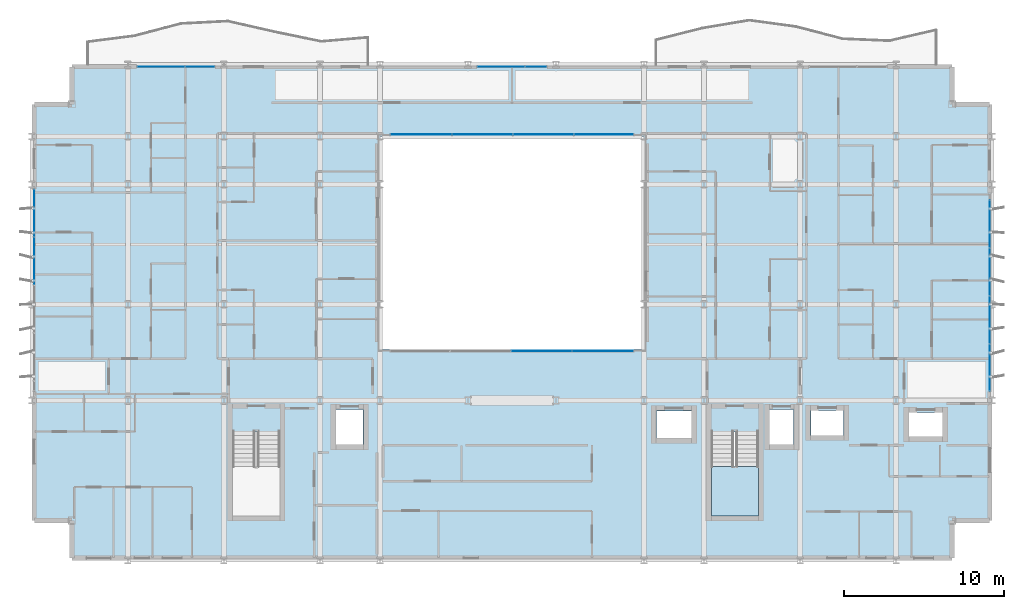
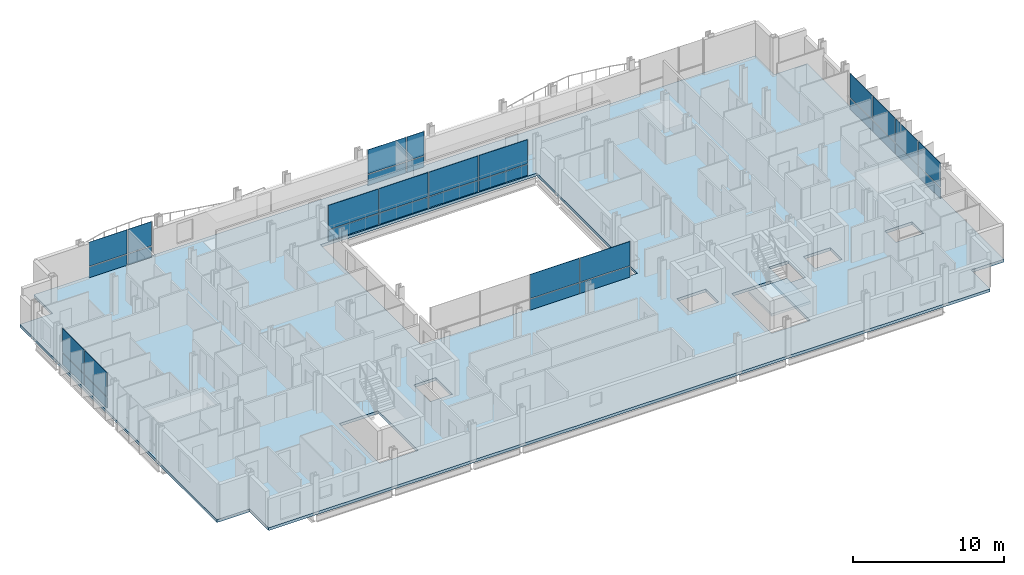
# One storey, part 23 of 39: 32 plates, 2 slabs, 7 elements without a shape of their own.
"""IFC4 building model written with IfcOpenShell, lengths in metres."""

import ifcopenshell
import ifcopenshell.guid

model = None  # the IFC model being written
_history = None  # IfcOwnerHistory: only IFC2X3 demands one
_inside = {}  # id of a spatial element -> (the spatial element, [elements in it])
_under = {}  # id of a project, library or spatial element -> (it, [spatial elements below it])
_declared = {}  # id of a project -> (the project, [libraries it declares])
_typed = {}  # id of a type object -> (the type object, [elements of that type])
_made_of = {}  # id of a material, layer set ... -> (it, [elements and type objects made of it])


def new_model(schema):
    """Start an empty IFC model of exactly this schema.

    Asked for "IFC4X3", IfcOpenShell would pick the latest addendum, in which some entities
    have other attributes; the version numbers below select the first issue.
    IFC2X3 requires an IfcOwnerHistory on every rooted entity: one is made here for all.
    """
    global model, _history
    if schema == "IFC4X3":
        model = ifcopenshell.file(schema_version=(4, 3, 0, 0))
    else:
        model = ifcopenshell.file(schema=schema)
    _inside.clear()
    _under.clear()
    _declared.clear()
    _typed.clear()
    _made_of.clear()
    _history = None
    if model.schema == "IFC2X3":
        org = make("IfcOrganization", Name="unknown")
        user = make(
            "IfcPersonAndOrganization",
            ThePerson=make("IfcPerson", FamilyName="unknown"),
            TheOrganization=org,
        )
        app = make(
            "IfcApplication",
            ApplicationDeveloper=org,
            Version="unknown",
            ApplicationFullName="unknown",
            ApplicationIdentifier="unknown",
        )
        _history = make(
            "IfcOwnerHistory",
            OwningUser=user,
            OwningApplication=app,
            ChangeAction="ADDED",
            CreationDate=0,
        )
    return model


def make(cls, **values):
    """One entity of the class cls with the attributes given. An attribute that is None is left unset."""
    return model.create_entity(
        cls, **{name: value for name, value in values.items() if value is not None}
    )


def rooted(cls, **values):
    """An entity with a GlobalId (a new one), such as an element, a storey or a relation."""
    return make(cls, GlobalId=ifcopenshell.guid.new(), OwnerHistory=_history, **values)


def si_unit(unit_type, name, prefix=None):
    """IfcSIUnit, for example si_unit("LENGTHUNIT", "METRE", prefix="MILLI")."""
    return make("IfcSIUnit", UnitType=unit_type, Prefix=prefix, Name=name)


def assignment(units):
    """IfcUnitAssignment: the units of a project."""
    return None if units is None else make("IfcUnitAssignment", Units=units)


def point(xyz):
    """IfcCartesianPoint."""
    return None if xyz is None else make("IfcCartesianPoint", Coordinates=xyz)


def direction(xyz):
    """IfcDirection."""
    return None if xyz is None else make("IfcDirection", DirectionRatios=xyz)


def frame(location, z_axis=None, x_axis=None):
    """IfcAxis2Placement3D, a coordinate frame: its origin and axes. An axis left out is left unset."""
    return make(
        "IfcAxis2Placement3D",
        Location=point(location),
        Axis=direction(z_axis),
        RefDirection=direction(x_axis),
    )


def frame_2d(location, x_axis=None):
    """IfcAxis2Placement2D, a coordinate frame in the plane: its origin and x axis."""
    return make(
        "IfcAxis2Placement2D", Location=point(location), RefDirection=direction(x_axis)
    )


def origin():
    """The frame at (0, 0, 0) with its axes left unset."""
    return frame((0.0, 0.0, 0.0))


def origin_2d():
    """The frame at (0, 0) in the plane with its x axis left unset."""
    return frame_2d((0.0, 0.0))


def place(relative_to, where):
    """IfcLocalPlacement: puts the frame where relative to a parent placement (None: the world)."""
    return make(
        "IfcLocalPlacement", PlacementRelTo=relative_to, RelativePlacement=where
    )


def context(
    kind, dimensions, precision=None, world=None, true_north=None, identifier=None
):
    """IfcGeometricRepresentationContext, for example the 3D "Model" context."""
    return make(
        "IfcGeometricRepresentationContext",
        ContextIdentifier=identifier,
        ContextType=kind,
        CoordinateSpaceDimension=dimensions,
        Precision=precision,
        WorldCoordinateSystem=world,
        TrueNorth=true_north,
    )


def subcontext(parent, identifier, kind, view, scale=None):
    """IfcGeometricRepresentationSubContext, for example "Body" below "Model"."""
    return make(
        "IfcGeometricRepresentationSubContext",
        ContextIdentifier=identifier,
        ContextType=kind,
        ParentContext=parent,
        TargetScale=scale,
        TargetView=view,
    )


def project(units=None, contexts=None):
    """IfcProject with its units and contexts."""
    return rooted(
        "IfcProject",
        Name="project",
        RepresentationContexts=contexts,
        UnitsInContext=assignment(units),
    )


def spatial(cls, under=None, at=None, **own):
    """A site, building, storey or space (cls), placed at a placement, below another one or the project."""
    s = rooted(cls, ObjectPlacement=at, **own)
    if under is not None:
        _under.setdefault(under.id(), (under, []))[1].append(s)
    return s


def polyline(points):
    """IfcPolyline through the points."""
    return make("IfcPolyline", Points=[point(p) for p in points])


def profile(cls, at=None, kind="AREA", **sizes):
    """A parametric profile (cls). Its sizes go by their IFC names, for example OverallWidth=200.0."""
    return make(cls, ProfileType=kind, Position=at, **sizes)


def rectangle(**sizes):
    """IfcRectangleProfileDef."""
    return profile("IfcRectangleProfileDef", **sizes)


def outline(outer, holes=None, kind="AREA"):
    """IfcArbitraryClosedProfileDef: a profile drawn as a closed curve; with holes, ...WithVoids."""
    if holes is None:
        return make("IfcArbitraryClosedProfileDef", ProfileType=kind, OuterCurve=outer)
    return make(
        "IfcArbitraryProfileDefWithVoids",
        ProfileType=kind,
        OuterCurve=outer,
        InnerCurves=holes,
    )


def extrude(swept, where, along, depth):
    """IfcExtrudedAreaSolid: the profile swept, set in the frame where, extruded along a direction by depth."""
    return make(
        "IfcExtrudedAreaSolid",
        SweptArea=swept,
        Position=where,
        ExtrudedDirection=direction(along),
        Depth=depth,
    )


def shape(context_of_items, identifier, shape_type, items):
    """IfcShapeRepresentation: the items that make up one representation, for example the "Body"."""
    return make(
        "IfcShapeRepresentation",
        ContextOfItems=context_of_items,
        RepresentationIdentifier=identifier,
        RepresentationType=shape_type,
        Items=items,
    )


def material(Name=None, Category=None):
    """IfcMaterial."""
    return make("IfcMaterial", Name=Name, Category=Category)


def layer(
    of_material, thickness, ventilated=None, Name=None, Category=None, Priority=None
):
    """IfcMaterialLayer: one layer of a wall or slab, of a material (None: an air gap)."""
    return make(
        "IfcMaterialLayer",
        Material=of_material,
        LayerThickness=thickness,
        IsVentilated=ventilated,
        Name=Name,
        Category=Category,
        Priority=Priority,
    )


def layer_set(layers, Name=None):
    """IfcMaterialLayerSet."""
    return make("IfcMaterialLayerSet", MaterialLayers=layers, LayerSetName=Name)


def made_of(thing, what):
    """Note that an element or type object is made of a material, layer set ...; save() writes the relation."""
    if what is not None:
        _made_of.setdefault(what.id(), (what, []))[1].append(thing)
    return thing


def type_object(cls, material=None, **own):
    """A type object (cls), such as IfcWallType, which elements share."""
    return made_of(rooted(cls, **own), material)


def element(
    cls,
    number,
    at=None,
    inside=None,
    cuts=None,
    type_object=None,
    material=None,
    context=None,
    identifier="Body",
    shape_type=None,
    held_by="IfcProductDefinitionShape",
    body=None,
    shapes=None,
    **own,
):
    """One element of the class cls, such as IfcWall. Its Tag is "e" and its number.

    at: its placement. inside: the storey or other place that contains it. cuts: it is an
    opening in that element (IfcRelVoidsElement). A single representation is given by context,
    identifier, shape_type and body (its items); several are given by shapes. held_by: the class
    of the entity that holds the representations. save() writes the other relations.
    """
    e = rooted(cls, Tag="e%d" % number, ObjectPlacement=at, **own)
    if body is not None:
        shapes = [shape(context, identifier, shape_type, body)]
    if shapes is not None:
        e.Representation = make(held_by, Representations=shapes)
    if inside is not None:
        _inside.setdefault(inside.id(), (inside, []))[1].append(e)
    if cuts is not None:
        rooted(
            "IfcRelVoidsElement", RelatingBuildingElement=cuts, RelatedOpeningElement=e
        )
    if type_object is not None:
        _typed.setdefault(type_object.id(), (type_object, []))[1].append(e)
    return made_of(e, material)


def aggregate(whole, parts):
    """IfcRelAggregates: a whole, such as a stair, and the parts it consists of."""
    return rooted("IfcRelAggregates", RelatingObject=whole, RelatedObjects=parts)


def save(model, path):
    """Write the relations noted so far, then the file.

    IfcRelAggregates (storeys below a building ...), IfcRelContainedInSpatialStructure (elements
    in a storey), IfcRelDefinesByType, IfcRelAssociatesMaterial and IfcRelDeclares: one each for
    every whole, place, type object, material and project.
    """
    for whole, parts in _under.values():
        aggregate(whole, parts)
    for where, things in _inside.values():
        rooted(
            "IfcRelContainedInSpatialStructure",
            RelatedElements=things,
            RelatingStructure=where,
        )
    for kind, things in _typed.values():
        rooted("IfcRelDefinesByType", RelatedObjects=things, RelatingType=kind)
    for what, things in _made_of.values():
        rooted("IfcRelAssociatesMaterial", RelatedObjects=things, RelatingMaterial=what)
    for by, libraries in _declared.values():
        rooted("IfcRelDeclares", RelatingContext=by, RelatedDefinitions=libraries)
    model.write(path)


model = new_model("IFC4")

# Units and contexts
model_context = context("Model", 3, precision=1e-05, world=origin(), true_north=direction((0.0, 1.0)))
body_context = subcontext(model_context, "Body", "Model", "MODEL_VIEW")
ifc_project = project(units=[si_unit("LENGTHUNIT", "METRE"), si_unit("AREAUNIT", "SQUARE_METRE"), si_unit("VOLUMEUNIT", "CUBIC_METRE"), si_unit("PLANEANGLEUNIT", "RADIAN"), si_unit("MASSUNIT", "GRAM", prefix="KILO")], contexts=[model_context])

# Site, building, storey
site_placement = place(None, origin())
site = spatial("IfcSite", under=ifc_project, at=site_placement, CompositionType="ELEMENT")
building_placement = place(site_placement, origin())
building = spatial("IfcBuilding", under=site, at=building_placement, Name="Brevholm Reach", CompositionType="ELEMENT")
storey_placement = place(building_placement, frame((0.0, 0.0, 40.39990234375)))
storey = spatial("IfcBuildingStorey", under=building, at=storey_placement, Name="L10", CompositionType="ELEMENT", Elevation=40.39990234375)

# Curtain wall, plates
ifc_material_1 = material(Name="Dark Anodised Aluminium 6063-T6 and Solar-Control Glass", Category="aluminium")
ifc_layer_1 = layer(ifc_material_1, 0.14990234375)
ifc_layer_set_1 = layer_set([ifc_layer_1], Name="Dark Anodised Aluminium 6063-T6 and Solar-Control Glass")
curtain_wall_type_1 = type_object("IfcCurtainWallType", Name="CW-01", PredefinedType="NOTDEFINED", material=ifc_layer_set_1)
curtain_wall_1_placement = place(storey_placement, origin())
curtain_wall_1 = element("IfcCurtainWall", 1, at=curtain_wall_1_placement, inside=storey, type_object=curtain_wall_type_1, Name="L10 Curtain Wall CW-01", PredefinedType="NOTDEFINED")
ifc_material_2 = material(Name="Dark Solar-Control Double-Glazed IGU Glass", Category="glass")
ifc_layer_2 = layer(ifc_material_2, 0.028076171875)
ifc_layer_set_2 = layer_set([ifc_layer_2], Name="Dark Solar-Control Double-Glazed IGU Glass")
plate_type_1 = type_object("IfcPlateType", Name="CWP-GLZ-28", PredefinedType="CURTAIN_PANEL", material=ifc_layer_set_2)
plate_1_placement = place(storey_placement, frame((0.14990234375, 21.703857421875, 0.0), z_axis=(0.0, 0.0, 1.0), x_axis=(0.0, -1.0, 0.0)))
plate_1 = element("IfcPlate", 2, at=plate_1_placement, type_object=plate_type_1, Name="CP-01 Glazing Panel 1.1", PredefinedType="CURTAIN_PANEL", context=body_context, shape_type="SweptSolid", body=[
    extrude(rectangle(XDim=2.902587890625, YDim=0.028076171875, at=origin_2d()), origin(), (0.0, 0.0, 1.0), 0.867431640625),
])
plate_2_placement = place(storey_placement, frame((0.14990234375, 21.703857421875, 0.9326171875), z_axis=(0.0, 0.0, 1.0), x_axis=(0.0, -1.0, 0.0)))
plate_2 = element("IfcPlate", 3, at=plate_2_placement, type_object=plate_type_1, Name="CP-01 Glazing Panel 1.2", PredefinedType="CURTAIN_PANEL", context=body_context, shape_type="SweptSolid", body=[
    extrude(rectangle(XDim=2.902587890625, YDim=0.028076171875, at=origin_2d()), origin(), (0.0, 0.0, 1.0), 1.9375),
])
plate_3_placement = place(storey_placement, frame((0.14990234375, 18.719970703125, 0.0), z_axis=(0.0, 0.0, 1.0), x_axis=(0.0, -1.0, 0.0)))
plate_3 = element("IfcPlate", 4, at=plate_3_placement, type_object=plate_type_1, Name="CP-01 Glazing Panel 2.1", PredefinedType="CURTAIN_PANEL", context=body_context, shape_type="SweptSolid", body=[
    extrude(rectangle(XDim=2.93505859375, YDim=0.028076171875, at=origin_2d()), origin(), (0.0, 0.0, 1.0), 0.867431640625),
])
plate_4_placement = place(storey_placement, frame((0.14990234375, 18.719970703125, 0.9326171875), z_axis=(0.0, 0.0, 1.0), x_axis=(0.0, -1.0, 0.0)))
plate_4 = element("IfcPlate", 5, at=plate_4_placement, type_object=plate_type_1, Name="CP-01 Glazing Panel 2.2", PredefinedType="CURTAIN_PANEL", context=body_context, shape_type="SweptSolid", body=[
    extrude(rectangle(XDim=2.93505859375, YDim=0.028076171875, at=origin_2d()), origin(), (0.0, 0.0, 1.0), 1.9375),
])
aggregate(curtain_wall_1, [plate_1, plate_2, plate_3, plate_4])

curtain_wall_2_placement = place(storey_placement, origin())
curtain_wall_2 = element("IfcCurtainWall", 6, at=curtain_wall_2_placement, inside=storey, type_object=curtain_wall_type_1, Name="L10 Curtain Wall CW-01", PredefinedType="NOTDEFINED")
plate_5_placement = place(storey_placement, frame((59.85009765625, 12.066162109375, 0.0), z_axis=(0.0, 0.0, 1.0), x_axis=(0.0, 1.0, 0.0)))
plate_5 = element("IfcPlate", 7, at=plate_5_placement, type_object=plate_type_1, Name="CP-01 Glazing Panel 1.1", PredefinedType="CURTAIN_PANEL", context=body_context, shape_type="SweptSolid", body=[
    extrude(rectangle(XDim=2.902587890625, YDim=0.028076171875, at=origin_2d()), origin(), (0.0, 0.0, 1.0), 0.867431640625),
])
plate_6_placement = place(storey_placement, frame((59.85009765625, 12.066162109375, 0.9326171875), z_axis=(0.0, 0.0, 1.0), x_axis=(0.0, 1.0, 0.0)))
plate_6 = element("IfcPlate", 8, at=plate_6_placement, type_object=plate_type_1, Name="CP-01 Glazing Panel 1.2", PredefinedType="CURTAIN_PANEL", context=body_context, shape_type="SweptSolid", body=[
    extrude(rectangle(XDim=2.902587890625, YDim=0.028076171875, at=origin_2d()), origin(), (0.0, 0.0, 1.0), 1.9375),
])
plate_7_placement = place(storey_placement, frame((59.85009765625, 15.050048828125, 0.0), z_axis=(0.0, 0.0, 1.0), x_axis=(0.0, 1.0, 0.0)))
plate_7 = element("IfcPlate", 9, at=plate_7_placement, type_object=plate_type_1, Name="CP-01 Glazing Panel 2.1", PredefinedType="CURTAIN_PANEL", context=body_context, shape_type="SweptSolid", body=[
    extrude(rectangle(XDim=2.93505859375, YDim=0.028076171875, at=origin_2d()), origin(), (0.0, 0.0, 1.0), 0.867431640625),
])
plate_8_placement = place(storey_placement, frame((59.85009765625, 15.050048828125, 0.9326171875), z_axis=(0.0, 0.0, 1.0), x_axis=(0.0, 1.0, 0.0)))
plate_8 = element("IfcPlate", 10, at=plate_8_placement, type_object=plate_type_1, Name="CP-01 Glazing Panel 2.2", PredefinedType="CURTAIN_PANEL", context=body_context, shape_type="SweptSolid", body=[
    extrude(rectangle(XDim=2.93505859375, YDim=0.028076171875, at=origin_2d()), origin(), (0.0, 0.0, 1.0), 1.9375),
])
plate_9_placement = place(storey_placement, frame((59.85009765625, 18.050048828125, 0.0), z_axis=(0.0, 0.0, 1.0), x_axis=(0.0, 1.0, 0.0)))
plate_9 = element("IfcPlate", 11, at=plate_9_placement, type_object=plate_type_1, Name="CP-01 Glazing Panel 3.1", PredefinedType="CURTAIN_PANEL", context=body_context, shape_type="SweptSolid", body=[
    extrude(rectangle(XDim=2.93505859375, YDim=0.028076171875, at=origin_2d()), origin(), (0.0, 0.0, 1.0), 0.867431640625),
])
plate_10_placement = place(storey_placement, frame((59.85009765625, 18.050048828125, 0.9326171875), z_axis=(0.0, 0.0, 1.0), x_axis=(0.0, 1.0, 0.0)))
plate_10 = element("IfcPlate", 12, at=plate_10_placement, type_object=plate_type_1, Name="CP-01 Glazing Panel 3.2", PredefinedType="CURTAIN_PANEL", context=body_context, shape_type="SweptSolid", body=[
    extrude(rectangle(XDim=2.93505859375, YDim=0.028076171875, at=origin_2d()), origin(), (0.0, 0.0, 1.0), 1.9375),
])
plate_11_placement = place(storey_placement, frame((59.85009765625, 21.050048828125, 0.0), z_axis=(0.0, 0.0, 1.0), x_axis=(0.0, 1.0, 0.0)))
plate_11 = element("IfcPlate", 13, at=plate_11_placement, type_object=plate_type_1, Name="CP-01 Glazing Panel 4.1", PredefinedType="CURTAIN_PANEL", context=body_context, shape_type="SweptSolid", body=[
    extrude(rectangle(XDim=2.93505859375, YDim=0.028076171875, at=origin_2d()), origin(), (0.0, 0.0, 1.0), 0.867431640625),
])
plate_12_placement = place(storey_placement, frame((59.85009765625, 21.050048828125, 0.9326171875), z_axis=(0.0, 0.0, 1.0), x_axis=(0.0, 1.0, 0.0)))
plate_12 = element("IfcPlate", 14, at=plate_12_placement, type_object=plate_type_1, Name="CP-01 Glazing Panel 4.2", PredefinedType="CURTAIN_PANEL", context=body_context, shape_type="SweptSolid", body=[
    extrude(rectangle(XDim=2.93505859375, YDim=0.028076171875, at=origin_2d()), origin(), (0.0, 0.0, 1.0), 1.9375),
])
aggregate(curtain_wall_2, [plate_5, plate_6, plate_7, plate_8, plate_9, plate_10, plate_11, plate_12])

curtain_wall_3_placement = place(storey_placement, origin())
curtain_wall_3 = element("IfcCurtainWall", 15, at=curtain_wall_3_placement, inside=storey, type_object=curtain_wall_type_1, Name="L10 Curtain Wall CW-01", PredefinedType="NOTDEFINED")
plate_13_placement = place(storey_placement, frame((8.066162109375, 30.85009765625, 0.0), z_axis=(0.0, 0.0, 1.0), x_axis=(1.0, 0.0, 0.0)))
plate_13 = element("IfcPlate", 16, at=plate_13_placement, type_object=plate_type_1, Name="CP-01 Glazing Panel 1.1", PredefinedType="CURTAIN_PANEL", context=body_context, shape_type="SweptSolid", body=[
    extrude(rectangle(XDim=2.902587890625, YDim=0.028076171875, at=origin_2d()), origin(), (0.0, 0.0, 1.0), 0.867431640625),
])
plate_14_placement = place(storey_placement, frame((8.066162109375, 30.85009765625, 0.9326171875), z_axis=(0.0, 0.0, 1.0), x_axis=(1.0, 0.0, 0.0)))
plate_14 = element("IfcPlate", 17, at=plate_14_placement, type_object=plate_type_1, Name="CP-01 Glazing Panel 1.2", PredefinedType="CURTAIN_PANEL", context=body_context, shape_type="SweptSolid", body=[
    extrude(rectangle(XDim=2.902587890625, YDim=0.028076171875, at=origin_2d()), origin(), (0.0, 0.0, 1.0), 1.9375),
])
plate_15_placement = place(storey_placement, frame((10.483642578125, 30.85009765625, 0.0), z_axis=(0.0, 0.0, 1.0), x_axis=(1.0, 0.0, 0.0)))
plate_15 = element("IfcPlate", 18, at=plate_15_placement, type_object=plate_type_1, Name="CP-01 Glazing Panel 2.1", PredefinedType="CURTAIN_PANEL", context=body_context, shape_type="SweptSolid", body=[
    extrude(rectangle(XDim=1.802490234375, YDim=0.028076171875, at=origin_2d()), origin(), (0.0, 0.0, 1.0), 0.867431640625),
])
plate_16_placement = place(storey_placement, frame((10.483642578125, 30.85009765625, 0.9326171875), z_axis=(0.0, 0.0, 1.0), x_axis=(1.0, 0.0, 0.0)))
plate_16 = element("IfcPlate", 19, at=plate_16_placement, type_object=plate_type_1, Name="CP-01 Glazing Panel 2.2", PredefinedType="CURTAIN_PANEL", context=body_context, shape_type="SweptSolid", body=[
    extrude(rectangle(XDim=1.802490234375, YDim=0.028076171875, at=origin_2d()), origin(), (0.0, 0.0, 1.0), 1.9375),
])
aggregate(curtain_wall_3, [plate_13, plate_14, plate_15, plate_16])

curtain_wall_4_placement = place(storey_placement, origin())
curtain_wall_4 = element("IfcCurtainWall", 20, at=curtain_wall_4_placement, inside=storey, type_object=curtain_wall_type_1, Name="L10 Curtain Wall CW-01", PredefinedType="NOTDEFINED")
plate_17_placement = place(storey_placement, frame((29.316162109375, 30.85009765625, 0.0), z_axis=(0.0, 0.0, 1.0), x_axis=(1.0, 0.0, 0.0)))
plate_17 = element("IfcPlate", 21, at=plate_17_placement, type_object=plate_type_1, Name="CP-01 Glazing Panel 1.1", PredefinedType="CURTAIN_PANEL", context=body_context, shape_type="SweptSolid", body=[
    extrude(rectangle(XDim=2.902587890625, YDim=0.028076171875, at=origin_2d()), origin(), (0.0, 0.0, 1.0), 0.867431640625),
])
plate_18_placement = place(storey_placement, frame((29.316162109375, 30.85009765625, 0.9326171875), z_axis=(0.0, 0.0, 1.0), x_axis=(1.0, 0.0, 0.0)))
plate_18 = element("IfcPlate", 22, at=plate_18_placement, type_object=plate_type_1, Name="CP-01 Glazing Panel 1.2", PredefinedType="CURTAIN_PANEL", context=body_context, shape_type="SweptSolid", body=[
    extrude(rectangle(XDim=2.902587890625, YDim=0.028076171875, at=origin_2d()), origin(), (0.0, 0.0, 1.0), 1.9375),
])
plate_19_placement = place(storey_placement, frame((31.483642578125, 30.85009765625, 0.0), z_axis=(0.0, 0.0, 1.0), x_axis=(1.0, 0.0, 0.0)))
plate_19 = element("IfcPlate", 23, at=plate_19_placement, type_object=plate_type_1, Name="CP-01 Glazing Panel 2.1", PredefinedType="CURTAIN_PANEL", context=body_context, shape_type="SweptSolid", body=[
    extrude(rectangle(XDim=1.302490234375, YDim=0.028076171875, at=origin_2d()), origin(), (0.0, 0.0, 1.0), 0.867431640625),
])
plate_20_placement = place(storey_placement, frame((31.483642578125, 30.85009765625, 0.9326171875), z_axis=(0.0, 0.0, 1.0), x_axis=(1.0, 0.0, 0.0)))
plate_20 = element("IfcPlate", 24, at=plate_20_placement, type_object=plate_type_1, Name="CP-01 Glazing Panel 2.2", PredefinedType="CURTAIN_PANEL", context=body_context, shape_type="SweptSolid", body=[
    extrude(rectangle(XDim=1.302490234375, YDim=0.028076171875, at=origin_2d()), origin(), (0.0, 0.0, 1.0), 1.9375),
])
aggregate(curtain_wall_4, [plate_17, plate_18, plate_19, plate_20])

ifc_material_3 = material(Name="Dark Anodised Aluminium 6063-T6 and Solar-Control Glass", Category="aluminium")
ifc_layer_3 = layer(ifc_material_3, 0.139892578125)
ifc_layer_set_3 = layer_set([ifc_layer_3], Name="Dark Anodised Aluminium 6063-T6 and Solar-Control Glass")
curtain_wall_type_2 = type_object("IfcCurtainWallType", Name="CW-02", PredefinedType="NOTDEFINED", material=ifc_layer_set_3)
curtain_wall_5_placement = place(storey_placement, origin())
curtain_wall_5 = element("IfcCurtainWall", 25, at=curtain_wall_5_placement, inside=storey, type_object=curtain_wall_type_2, Name="L10 Curtain Wall CW-02", PredefinedType="NOTDEFINED")
ifc_material_4 = material(Name="Low-Iron Laminated Acoustic Glass", Category="glass")
ifc_layer_4 = layer(ifc_material_4, 0.035888671875)
ifc_layer_set_4 = layer_set([ifc_layer_4], Name="Low-Iron Laminated Acoustic Glass")
plate_type_2 = type_object("IfcPlateType", Name="CWP-GLZ-36", PredefinedType="CURTAIN_PANEL", material=ifc_layer_set_4)
plate_21_placement = place(storey_placement, frame((31.85009765625, 13.080078125, 0.0), z_axis=(0.0, 0.0, 1.0), x_axis=(1.0, 0.0, 0.0)))
plate_21 = element("IfcPlate", 26, at=plate_21_placement, type_object=plate_type_2, Name="CP-02 Glazing Panel 3.1", PredefinedType="CURTAIN_PANEL", context=body_context, shape_type="SweptSolid", body=[
    extrude(rectangle(XDim=3.739990234375, YDim=0.035888671875, at=origin_2d()), origin(), (0.0, 0.0, 1.0), 0.8701171875),
])
plate_22_placement = place(storey_placement, frame((31.85009765625, 13.080078125, 0.93017578125), z_axis=(0.0, 0.0, 1.0), x_axis=(1.0, 0.0, 0.0)))
plate_22 = element("IfcPlate", 27, at=plate_22_placement, type_object=plate_type_2, Name="CP-02 Glazing Panel 3.2", PredefinedType="CURTAIN_PANEL", context=body_context, shape_type="SweptSolid", body=[
    extrude(rectangle(XDim=3.739990234375, YDim=0.035888671875, at=origin_2d()), origin(), (0.0, 0.0, 1.0), 1.93994140625),
])
plate_23_placement = place(storey_placement, frame((35.68505859375, 13.080078125, 0.0), z_axis=(0.0, 0.0, 1.0), x_axis=(1.0, 0.0, 0.0)))
plate_23 = element("IfcPlate", 28, at=plate_23_placement, type_object=plate_type_2, Name="CP-02 Glazing Panel 4.1", PredefinedType="CURTAIN_PANEL", context=body_context, shape_type="SweptSolid", body=[
    extrude(rectangle(XDim=3.81005859375, YDim=0.035888671875, at=origin_2d()), origin(), (0.0, 0.0, 1.0), 0.8701171875),
])
plate_24_placement = place(storey_placement, frame((35.68505859375, 13.080078125, 0.93017578125), z_axis=(0.0, 0.0, 1.0), x_axis=(1.0, 0.0, 0.0)))
plate_24 = element("IfcPlate", 29, at=plate_24_placement, type_object=plate_type_2, Name="CP-02 Glazing Panel 4.2", PredefinedType="CURTAIN_PANEL", context=body_context, shape_type="SweptSolid", body=[
    extrude(rectangle(XDim=3.81005859375, YDim=0.035888671875, at=origin_2d()), origin(), (0.0, 0.0, 1.0), 1.93994140625),
])
aggregate(curtain_wall_5, [plate_21, plate_22, plate_23, plate_24])

curtain_wall_6_placement = place(storey_placement, origin())
curtain_wall_6 = element("IfcCurtainWall", 30, at=curtain_wall_6_placement, inside=storey, type_object=curtain_wall_type_2, Name="L10 Curtain Wall CW-02", PredefinedType="NOTDEFINED")
plate_25_placement = place(storey_placement, frame((35.735107421875, 26.6201171875, 0.0), z_axis=(0.0, 0.0, 1.0), x_axis=(-1.0, 0.0, 0.0)))
plate_25 = element("IfcPlate", 31, at=plate_25_placement, type_object=plate_type_2, Name="CP-02 Glazing Panel 1.1", PredefinedType="CURTAIN_PANEL", context=body_context, shape_type="SweptSolid", body=[
    extrude(rectangle(XDim=3.7099609375, YDim=0.035888671875, at=origin_2d()), origin(), (0.0, 0.0, 1.0), 0.8701171875),
])
plate_26_placement = place(storey_placement, frame((35.735107421875, 26.6201171875, 0.93017578125), z_axis=(0.0, 0.0, 1.0), x_axis=(-1.0, 0.0, 0.0)))
plate_26 = element("IfcPlate", 32, at=plate_26_placement, type_object=plate_type_2, Name="CP-02 Glazing Panel 1.2", PredefinedType="CURTAIN_PANEL", context=body_context, shape_type="SweptSolid", body=[
    extrude(rectangle(XDim=3.7099609375, YDim=0.035888671875, at=origin_2d()), origin(), (0.0, 0.0, 1.0), 1.93994140625),
])
plate_27_placement = place(storey_placement, frame((31.949951171875, 26.6201171875, 0.0), z_axis=(0.0, 0.0, 1.0), x_axis=(-1.0, 0.0, 0.0)))
plate_27 = element("IfcPlate", 33, at=plate_27_placement, type_object=plate_type_2, Name="CP-02 Glazing Panel 2.1", PredefinedType="CURTAIN_PANEL", context=body_context, shape_type="SweptSolid", body=[
    extrude(rectangle(XDim=3.739990234375, YDim=0.035888671875, at=origin_2d()), origin(), (0.0, 0.0, 1.0), 0.8701171875),
])
plate_28_placement = place(storey_placement, frame((31.949951171875, 26.6201171875, 0.93017578125), z_axis=(0.0, 0.0, 1.0), x_axis=(-1.0, 0.0, 0.0)))
plate_28 = element("IfcPlate", 34, at=plate_28_placement, type_object=plate_type_2, Name="CP-02 Glazing Panel 2.2", PredefinedType="CURTAIN_PANEL", context=body_context, shape_type="SweptSolid", body=[
    extrude(rectangle(XDim=3.739990234375, YDim=0.035888671875, at=origin_2d()), origin(), (0.0, 0.0, 1.0), 1.93994140625),
])
plate_29_placement = place(storey_placement, frame((28.14990234375, 26.6201171875, 0.0), z_axis=(0.0, 0.0, 1.0), x_axis=(-1.0, 0.0, 0.0)))
plate_29 = element("IfcPlate", 35, at=plate_29_placement, type_object=plate_type_2, Name="CP-02 Glazing Panel 3.1", PredefinedType="CURTAIN_PANEL", context=body_context, shape_type="SweptSolid", body=[
    extrude(rectangle(XDim=3.739990234375, YDim=0.035888671875, at=origin_2d()), origin(), (0.0, 0.0, 1.0), 0.8701171875),
])
plate_30_placement = place(storey_placement, frame((28.14990234375, 26.6201171875, 0.93017578125), z_axis=(0.0, 0.0, 1.0), x_axis=(-1.0, 0.0, 0.0)))
plate_30 = element("IfcPlate", 36, at=plate_30_placement, type_object=plate_type_2, Name="CP-02 Glazing Panel 3.2", PredefinedType="CURTAIN_PANEL", context=body_context, shape_type="SweptSolid", body=[
    extrude(rectangle(XDim=3.739990234375, YDim=0.035888671875, at=origin_2d()), origin(), (0.0, 0.0, 1.0), 1.93994140625),
])
plate_31_placement = place(storey_placement, frame((24.31494140625, 26.6201171875, 0.0), z_axis=(0.0, 0.0, 1.0), x_axis=(-1.0, 0.0, 0.0)))
plate_31 = element("IfcPlate", 37, at=plate_31_placement, type_object=plate_type_2, Name="CP-02 Glazing Panel 4.1", PredefinedType="CURTAIN_PANEL", context=body_context, shape_type="SweptSolid", body=[
    extrude(rectangle(XDim=3.81005859375, YDim=0.035888671875, at=origin_2d()), origin(), (0.0, 0.0, 1.0), 0.8701171875),
])
plate_32_placement = place(storey_placement, frame((24.31494140625, 26.6201171875, 0.93017578125), z_axis=(0.0, 0.0, 1.0), x_axis=(-1.0, 0.0, 0.0)))
plate_32 = element("IfcPlate", 38, at=plate_32_placement, type_object=plate_type_2, Name="CP-02 Glazing Panel 4.2", PredefinedType="CURTAIN_PANEL", context=body_context, shape_type="SweptSolid", body=[
    extrude(rectangle(XDim=3.81005859375, YDim=0.035888671875, at=origin_2d()), origin(), (0.0, 0.0, 1.0), 1.93994140625),
])
aggregate(curtain_wall_6, [plate_25, plate_26, plate_27, plate_28, plate_29, plate_30, plate_31, plate_32])

# Slab
ifc_material_5 = material(Name="Concrete C40/50", Category="concrete")
ifc_layer_5 = layer(ifc_material_5, 0.22998046875)
ifc_layer_set_5 = layer_set([ifc_layer_5], Name="Concrete C40/50")
slab_type_1 = type_object("IfcSlabType", Name="SLB-FL-230", PredefinedType="FLOOR", material=ifc_layer_set_5)
slab_1_placement = place(storey_placement, frame((0.0, 0.0, -0.22998046875)))
element("IfcSlab", 39, at=slab_1_placement, inside=storey, type_object=slab_type_1, Name="L10 Suspended Floor Slab (main)", PredefinedType="FLOOR", context=body_context, shape_type="SweptSolid", body=[
    extrude(outline(polyline([(2.5, 0.0), (57.5, 0.0), (57.5, 2.5), (60.0, 2.5), (60.0, 28.5), (57.5, 28.5), (57.5, 31.0), (2.5, 31.0), (2.5, 28.5), (0.0, 28.5), (0.0, 2.5), (2.5, 2.5), (2.5, 0.0)]), holes=[polyline([(21.75, 13.199951171875), (38.25, 13.199951171875), (38.25, 26.5), (21.75, 26.5), (21.75, 13.199951171875)]), polyline([(12.550048828125, 2.780029296875), (15.5, 2.780029296875), (15.5, 8.044921875), (12.550048828125, 8.044921875), (12.550048828125, 2.780029296875)]), polyline([(42.449951171875, 2.780029296875), (45.39990234375, 2.780029296875), (45.39990234375, 8.044921875), (42.449951171875, 8.044921875), (42.449951171875, 2.780029296875)]), polyline([(19.0, 7.25), (20.699951171875, 7.25), (20.699951171875, 9.449951171875), (19.0, 9.449951171875), (19.0, 7.25)]), polyline([(46.10009765625, 7.25), (47.60009765625, 7.25), (47.60009765625, 9.449951171875), (46.10009765625, 9.449951171875), (46.10009765625, 7.25)]), polyline([(48.675048828125, 7.824951171875), (50.72509765625, 7.824951171875), (50.72509765625, 9.375), (48.675048828125, 9.375), (48.675048828125, 7.824951171875)]), polyline([(54.800048828125, 7.75), (56.89990234375, 7.75), (56.89990234375, 9.25), (54.800048828125, 9.25), (54.800048828125, 7.75)]), polyline([(39.02001953125, 7.64990234375), (41.219970703125, 7.64990234375), (41.219970703125, 9.35009765625), (39.02001953125, 9.35009765625), (39.02001953125, 7.64990234375)])]), origin(), (0.0, 0.0, 1.0), 0.22998046875),
])

# Stair, slab
ifc_material_6 = material(Name="Precast Concrete C40/50", Category="concrete")
stair_type = type_object("IfcStairType", Name="STR-ESC-1400", PredefinedType="DOUBLE_RETURN_STAIR", material=ifc_material_6)
stair_placement = place(storey_placement, origin())
stair = element("IfcStair", 40, at=stair_placement, inside=storey, type_object=stair_type, Name="L10 ST-2", PredefinedType="DOUBLE_RETURN_STAIR")
ifc_material_7 = material(Name="Concrete C40/50", Category="concrete")
ifc_layer_6 = layer(ifc_material_7, 0.199951171875)
ifc_layer_set_6 = layer_set([ifc_layer_6], Name="Concrete C40/50")
slab_type_2 = type_object("IfcSlabType", Name="SLB-LND-200", PredefinedType="LANDING", material=ifc_layer_set_6)
slab_2_placement = place(storey_placement, frame((0.0, 0.0, 1.35009765625)))
slab_2 = element("IfcSlab", 41, at=slab_2_placement, type_object=slab_type_2, Name="ST-2 landing 1", PredefinedType="LANDING", context=body_context, shape_type="SweptSolid", body=[
    extrude(outline(polyline([(42.449951171875, 5.860107421875), (42.449951171875, 2.780029296875), (45.39990234375, 2.780029296875), (45.39990234375, 5.860107421875), (42.449951171875, 5.860107421875)])), origin(), (0.0, 0.0, 1.0), 0.199951171875),
])
aggregate(stair, [slab_2])

save(model, "model.ifc")
